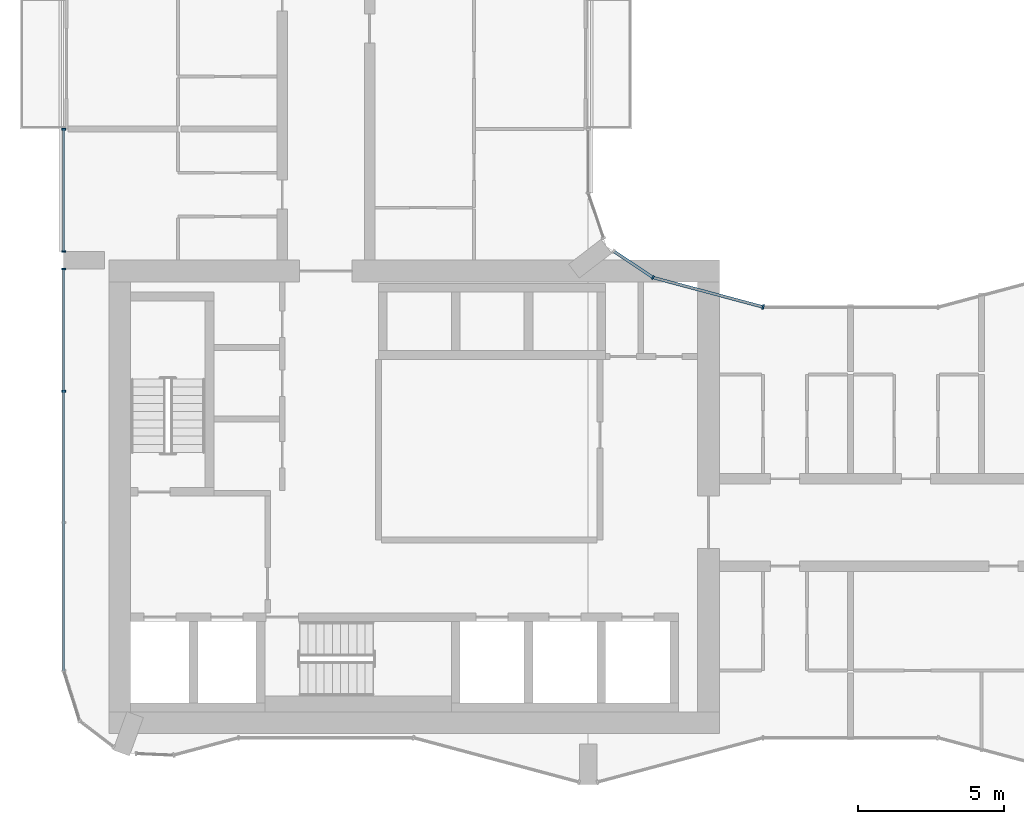
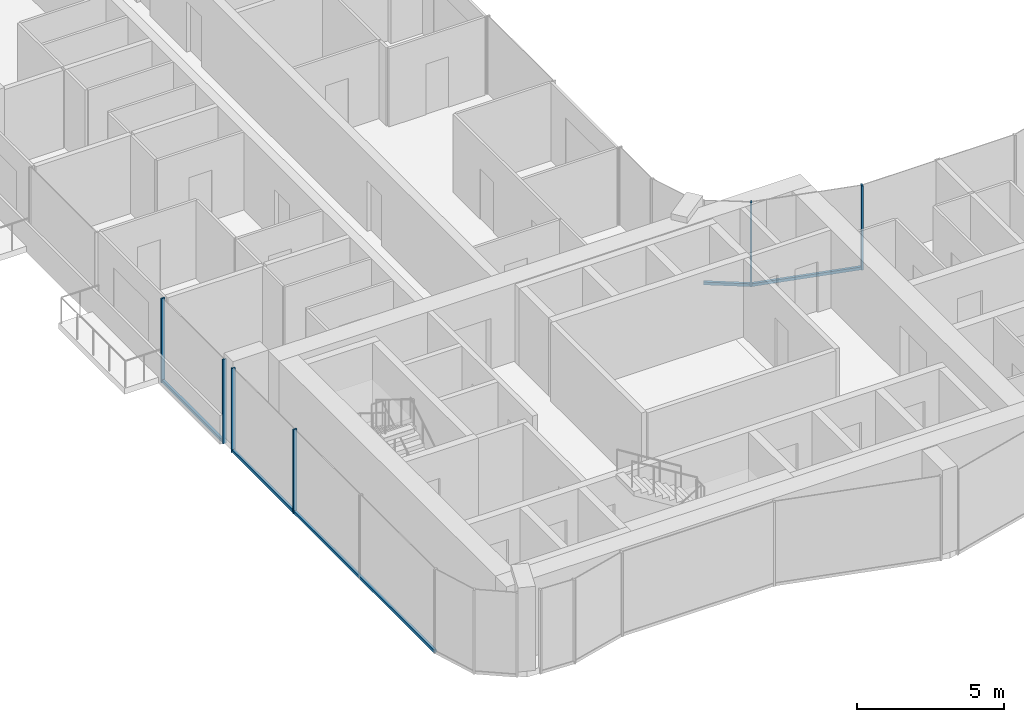
# One storey, part 3 of 23: 10 members, 4 elements without a shape of their own.
"""IFC4 building model written with IfcOpenShell, lengths in metres."""

from ifc_helpers import new_model, si_unit, direction, frame, origin, origin_2d, place, context, subcontext, project, spatial, rectangle, extrude, material, layer, layer_set, material_profile, profile_set, type_object, element, aggregate, save


model = new_model("IFC4")

# Units and contexts
model_context = context("Model", 3, precision=1e-05, world=origin(), true_north=direction((0.0, 1.0)))
body_context = subcontext(model_context, "Body", "Model", "MODEL_VIEW")
ifc_project = project(units=[si_unit("LENGTHUNIT", "METRE"), si_unit("AREAUNIT", "SQUARE_METRE"), si_unit("VOLUMEUNIT", "CUBIC_METRE"), si_unit("PLANEANGLEUNIT", "RADIAN"), si_unit("MASSUNIT", "GRAM", prefix="KILO")], contexts=[model_context])

# Site, building, storey
site_placement = place(None, origin())
site = spatial("IfcSite", under=ifc_project, at=site_placement, CompositionType="ELEMENT")
building_placement = place(site_placement, origin())
building = spatial("IfcBuilding", under=site, at=building_placement, Name="Plateau Cross Towers", CompositionType="ELEMENT")
storey_placement = place(building_placement, frame((0.0, 0.0, 37.300048828125)))
storey = spatial("IfcBuildingStorey", under=building, at=storey_placement, Name="L08", CompositionType="ELEMENT", Elevation=37.300048828125)

# Curtain wall, member
ifc_material_1 = material(Name="Dark low-iron glass", Category="glass")
ifc_layer_1 = layer(ifc_material_1, 0.239990234375)
ifc_layer_set_1 = layer_set([ifc_layer_1], Name="Dark low-iron glass")
curtain_wall_type_1 = type_object("IfcCurtainWallType", Name="Curtain wall flush unitised CW-B", PredefinedType="NOTDEFINED", material=ifc_layer_set_1)
curtain_wall_1_placement = place(storey_placement, origin())
curtain_wall_1 = element("IfcCurtainWall", 1, at=curtain_wall_1_placement, inside=storey, type_object=curtain_wall_type_1, Name="ENV/A/L08/A202_174", PredefinedType="NOTDEFINED")
ifc_material_2 = material(Name="Black anodised aluminium", Category="aluminium")
ifc_material_profile_1 = material_profile(ifc_material_2, rectangle(XDim=0.06005859375, YDim=0.139892578125, at=origin_2d()), Name="MULLION 60x140")
ifc_profile_set_1 = profile_set([ifc_material_profile_1], Name="Black anodised aluminium")
member_type_1 = type_object("IfcMemberType", Name="Mullion 60x140 flush unitised", PredefinedType="MULLION", material=ifc_profile_set_1)
member_1_placement = place(storey_placement, frame((20.223876953125, 17.404296875, -0.25), z_axis=(0.0, 0.0, 1.0), x_axis=(-0.831521253329, 0.555492938984, 0.0)))
member_1 = element("IfcMember", 2, at=member_1_placement, type_object=member_type_1, Name="CW-B mullion 1", PredefinedType="MULLION", context=body_context, shape_type="SweptSolid", body=[
    extrude(rectangle(XDim=0.06005859375, YDim=0.139892578125, at=origin_2d()), origin(), (0.0, 0.0, 1.0), 3.5),
])

# Curtain wall, members
curtain_wall_2_placement = place(storey_placement, origin())
curtain_wall_2 = element("IfcCurtainWall", 3, at=curtain_wall_2_placement, inside=storey, type_object=curtain_wall_type_1, Name="ENV/A/L08/A0_225", PredefinedType="NOTDEFINED")
member_2_placement = place(storey_placement, frame((0.0, 22.489990234375, -0.25), z_axis=(0.0, 0.0, 1.0), x_axis=(0.0, -1.0, 0.0)))
member_2 = element("IfcMember", 4, at=member_2_placement, type_object=member_type_1, Name="CW-B mullion 1", PredefinedType="MULLION", context=body_context, shape_type="SweptSolid", body=[
    extrude(rectangle(XDim=0.06005859375, YDim=0.139892578125, at=origin_2d()), origin(), (0.0, 0.0, 1.0), 3.5),
])
member_3_placement = place(storey_placement, frame((0.0, 18.300048828125, -0.25), z_axis=(0.0, 0.0, 1.0), x_axis=(0.0, -1.0, 0.0)))
member_3 = element("IfcMember", 5, at=member_3_placement, type_object=member_type_1, Name="CW-B mullion 2", PredefinedType="MULLION", context=body_context, shape_type="SweptSolid", body=[
    extrude(rectangle(XDim=0.06005859375, YDim=0.139892578125, at=origin_2d()), origin(), (0.0, 0.0, 1.0), 3.5),
])

curtain_wall_3_placement = place(storey_placement, origin())
curtain_wall_3 = element("IfcCurtainWall", 6, at=curtain_wall_3_placement, inside=storey, type_object=curtain_wall_type_1, Name="ENV/A/L08/A0_177", PredefinedType="NOTDEFINED")
member_4_placement = place(storey_placement, frame((0.0, 17.699951171875, -0.25), z_axis=(0.0, 0.0, 1.0), x_axis=(0.0, -1.0, 0.0)))
member_4 = element("IfcMember", 7, at=member_4_placement, type_object=member_type_1, Name="CW-B mullion 1", PredefinedType="MULLION", context=body_context, shape_type="SweptSolid", body=[
    extrude(rectangle(XDim=0.06005859375, YDim=0.139892578125, at=origin_2d()), origin(), (0.0, 0.0, 1.0), 3.5),
])
member_5_placement = place(storey_placement, frame((0.0, 13.5, -0.25), z_axis=(0.0, 0.0, 1.0), x_axis=(0.0, -1.0, 0.0)))
member_5 = element("IfcMember", 8, at=member_5_placement, type_object=member_type_1, Name="CW-B mullion 2", PredefinedType="MULLION", context=body_context, shape_type="SweptSolid", body=[
    extrude(rectangle(XDim=0.06005859375, YDim=0.139892578125, at=origin_2d()), origin(), (0.0, 0.0, 1.0), 3.5),
])

# Curtain wall, member
ifc_layer_2 = layer(ifc_material_1, 0.260009765625)
ifc_layer_set_2 = layer_set([ifc_layer_2], Name="Dark low-iron glass")
curtain_wall_type_2 = type_object("IfcCurtainWallType", Name="Curtain wall fluted unitised CW-A", PredefinedType="NOTDEFINED", material=ifc_layer_set_2)
curtain_wall_4_placement = place(storey_placement, origin())
curtain_wall_4 = element("IfcCurtainWall", 9, at=curtain_wall_4_placement, inside=storey, type_object=curtain_wall_type_2, Name="ENV/A/L08/A240_164", PredefinedType="NOTDEFINED")
ifc_material_profile_2 = material_profile(ifc_material_2, rectangle(XDim=0.06005859375, YDim=0.159912109375, at=origin_2d()), Name="MULLION 60x160")
ifc_profile_set_2 = profile_set([ifc_material_profile_2], Name="Black anodised aluminium")
member_type_2 = type_object("IfcMemberType", Name="Mullion 60x160 fluted unitised", PredefinedType="MULLION", material=ifc_profile_set_2)
member_6_placement = place(storey_placement, frame((24.0, 16.39306640625, -0.25), z_axis=(0.0, 0.0, 1.0), x_axis=(-0.965957995816, 0.258698956933, 0.0)))
member_6 = element("IfcMember", 10, at=member_6_placement, type_object=member_type_2, Name="CW-A mullion 1", PredefinedType="MULLION", context=body_context, shape_type="SweptSolid", body=[
    extrude(rectangle(XDim=0.06005859375, YDim=0.159912109375, at=origin_2d()), origin(), (0.0, 0.0, 1.0), 3.5),
])

# Member
ifc_material_profile_3 = material_profile(ifc_material_2, rectangle(XDim=0.10009765625, YDim=0.1201171875, at=origin_2d()), Name="TRANSOM 100x120")
ifc_profile_set_3 = profile_set([ifc_material_profile_3], Name="Black anodised aluminium")
member_type_3 = type_object("IfcMemberType", Name="Transom 100x120 flush unitised", PredefinedType="USERDEFINED", material=ifc_profile_set_3)
member_7_placement = place(storey_placement, frame((20.223876953125, 17.404296875, -0.18994140625), z_axis=(-0.831496402487, 0.555530136582, 0.0), x_axis=(-0.555530136582, -0.831496402487, 0.0)))
member_7 = element("IfcMember", 11, at=member_7_placement, type_object=member_type_3, Name="CW-B transom", ObjectType="TRANSOM", PredefinedType="USERDEFINED", context=body_context, shape_type="SweptSolid", body=[
    extrude(rectangle(XDim=0.10009765625, YDim=0.1201171875, at=origin_2d()), origin(), (0.0, 0.0, 1.0), 1.628662109375),
])

aggregate(curtain_wall_1, [member_1, member_7])

member_8_placement = place(storey_placement, frame((0.0, 22.489990234375, -0.18994140625), z_axis=(0.0, -1.0, 0.0), x_axis=(1.0, 0.0, 0.0)))
member_8 = element("IfcMember", 12, at=member_8_placement, type_object=member_type_3, Name="CW-B transom", ObjectType="TRANSOM", PredefinedType="USERDEFINED", context=body_context, shape_type="SweptSolid", body=[
    extrude(rectangle(XDim=0.10009765625, YDim=0.1201171875, at=origin_2d()), origin(), (0.0, 0.0, 1.0), 4.18994140625),
])

aggregate(curtain_wall_2, [member_2, member_3, member_8])

member_9_placement = place(storey_placement, frame((0.0, 17.699951171875, -0.18994140625), z_axis=(0.0, -1.0, 0.0), x_axis=(1.0, 0.0, 0.0)))
member_9 = element("IfcMember", 13, at=member_9_placement, type_object=member_type_3, Name="CW-B transom", ObjectType="TRANSOM", PredefinedType="USERDEFINED", context=body_context, shape_type="SweptSolid", body=[
    extrude(rectangle(XDim=0.10009765625, YDim=0.1201171875, at=origin_2d()), origin(), (0.0, 0.0, 1.0), 13.790771484375),
])

aggregate(curtain_wall_3, [member_4, member_5, member_9])

ifc_material_profile_4 = material_profile(ifc_material_2, rectangle(XDim=0.10009765625, YDim=0.1201171875, at=origin_2d()), Name="TRANSOM 100x120")
ifc_profile_set_4 = profile_set([ifc_material_profile_4], Name="Black anodised aluminium")
member_type_4 = type_object("IfcMemberType", Name="Transom 100x120 fluted unitised", PredefinedType="USERDEFINED", material=ifc_profile_set_4)
member_10_placement = place(storey_placement, frame((24.0, 16.39306640625, -0.18994140625), z_axis=(-0.965962822393, 0.25868093427, 0.0), x_axis=(-0.25868093427, -0.965962822393, 0.0)))
member_10 = element("IfcMember", 14, at=member_10_placement, type_object=member_type_4, Name="CW-A transom", ObjectType="TRANSOM", PredefinedType="USERDEFINED", context=body_context, shape_type="SweptSolid", body=[
    extrude(rectangle(XDim=0.10009765625, YDim=0.1201171875, at=origin_2d()), origin(), (0.0, 0.0, 1.0), 3.9091796875),
])

aggregate(curtain_wall_4, [member_6, member_10])

save(model, "model.ifc")
